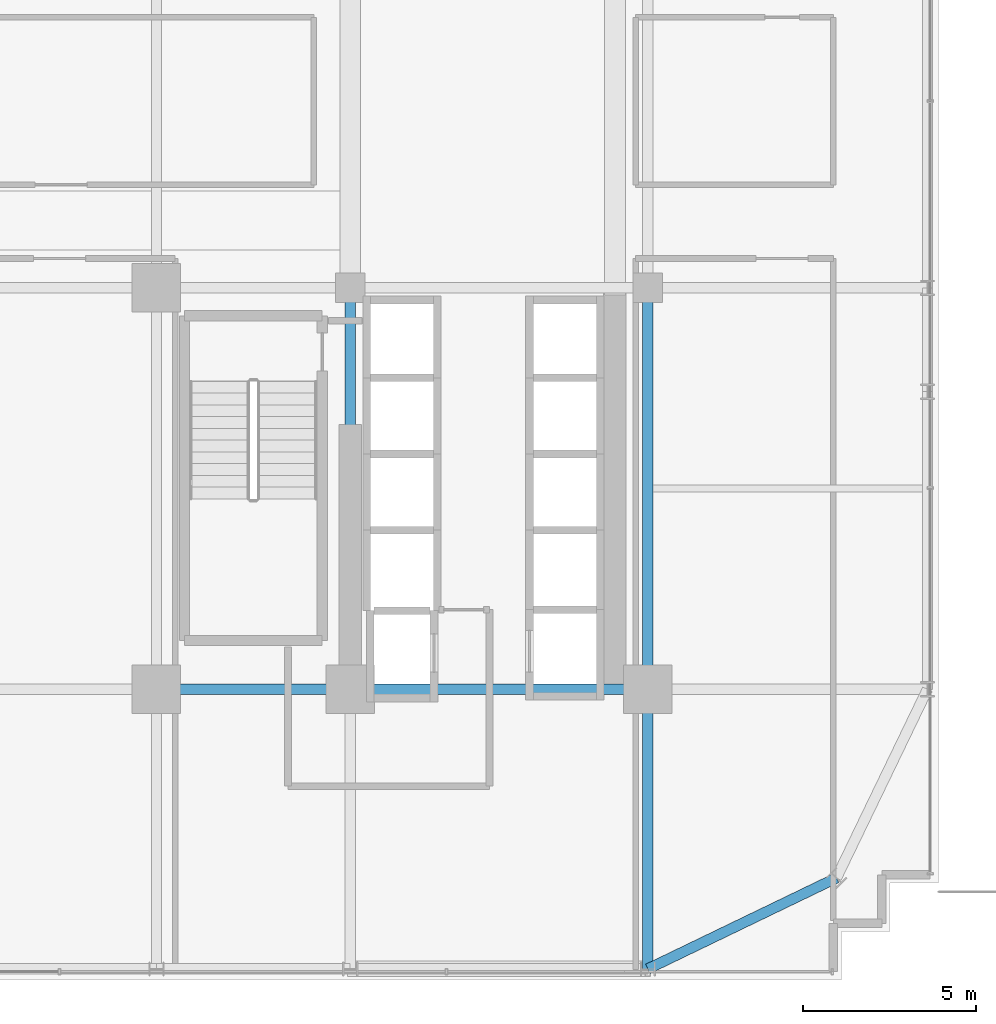
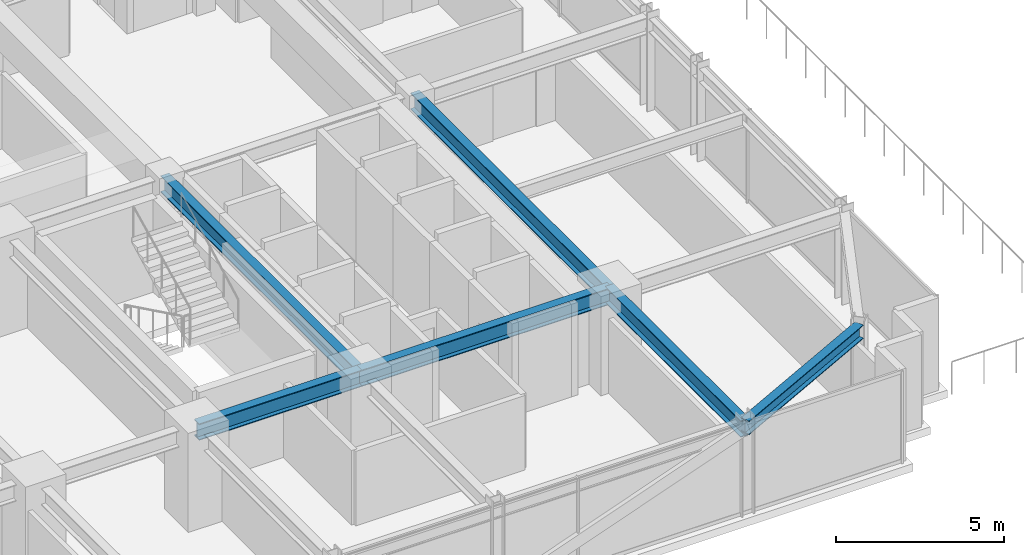
# One storey, part 13 of 39: 6 beams.
"""IFC4 building model written with IfcOpenShell, lengths in metres."""

from ifc_helpers import new_model, si_unit, direction, frame, origin, origin_2d, place, context, subcontext, project, spatial, i_section, extrude, source, transform, mapped, material, material_profile, profile_set, type_object, element, save


model = new_model("IFC4")

# Units and contexts
model_context = context("Model", 3, precision=1e-05, world=origin(), true_north=direction((0.0, 1.0)))
body_context = subcontext(model_context, "Body", "Model", "MODEL_VIEW")
ifc_project = project(units=[si_unit("LENGTHUNIT", "METRE"), si_unit("AREAUNIT", "SQUARE_METRE"), si_unit("VOLUMEUNIT", "CUBIC_METRE"), si_unit("PLANEANGLEUNIT", "RADIAN"), si_unit("MASSUNIT", "GRAM", prefix="KILO")], contexts=[model_context])

# Site, building, storey
site_placement = place(None, origin())
site = spatial("IfcSite", under=ifc_project, at=site_placement, CompositionType="ELEMENT")
building_placement = place(site_placement, origin())
building = spatial("IfcBuilding", under=site, at=building_placement, Name="Nahalor Promenade Grand Hotel", CompositionType="ELEMENT")
storey_placement = place(building_placement, frame((0.0, 0.0, 32.39990234375)))
storey = spatial("IfcBuildingStorey", under=building, at=storey_placement, Name="L06", CompositionType="ELEMENT", Elevation=32.39990234375)

# Beams
ifc_material = material(Name="Steel S355JR", Category="steel")
ifc_material_profile_1 = material_profile(ifc_material, i_section(OverallWidth=0.3, OverallDepth=0.6, WebThickness=0.0155, FlangeThickness=0.03, at=origin_2d()), Name="HEB 600")
ifc_profile_set_1 = profile_set([ifc_material_profile_1], Name="Steel S355JR")
beam_type_1 = type_object("IfcBeamType", Name="Beam-Girder-HEB600", PredefinedType="BEAM", material=ifc_profile_set_1)
shared_shape_1 = source(origin(), body_context, "Body", "SweptSolid", [
    extrude(i_section(OverallWidth=0.3, OverallDepth=0.6, WebThickness=0.0155, FlangeThickness=0.03, at=origin_2d()), origin(), (0.0, 0.0, 1.0), 8.60009765625),
])
beam_1_placement = place(storey_placement, frame((8.39990234375, -17.0, 3.070068359375), z_axis=(1.0, 0.0, 0.0), x_axis=(0.0, 1.0, 0.0)))
element("IfcBeam", 1, at=beam_1_placement, inside=storey, type_object=beam_type_1, Name="BM-L06-GX-0-5", PredefinedType="BEAM", context=body_context, shape_type="MappedRepresentation", body=[
    mapped(shared_shape_1, transform((0.0, 0.0, 0.0), scale=1.0)),
])
shared_shape_2 = source(origin(), body_context, "Body", "SweptSolid", [
    extrude(i_section(OverallWidth=0.3, OverallDepth=0.6, WebThickness=0.0155, FlangeThickness=0.03, at=origin_2d()), origin(), (0.0, 0.0, 1.0), 5.599853515625),
])
beam_2_placement = place(storey_placement, frame((2.800048828125, -17.0, 3.070068359375), z_axis=(1.0, 0.0, 0.0), x_axis=(0.0, 1.0, 0.0)))
element("IfcBeam", 2, at=beam_2_placement, inside=storey, type_object=beam_type_1, Name="BM-L06-GX-0-4", PredefinedType="BEAM", context=body_context, shape_type="MappedRepresentation", body=[
    mapped(shared_shape_2, transform((0.0, 0.0, 0.0), scale=1.0)),
])
shared_shape_3 = source(origin(), body_context, "Body", "SweptSolid", [
    extrude(i_section(OverallWidth=0.3, OverallDepth=0.6, WebThickness=0.0155, FlangeThickness=0.03, at=origin_2d()), origin(), (0.0, 0.0, 1.0), 11.60009765625),
])
for number, where, z_axis, x_axis, name in (
    (3, (8.39990234375, -17.0, 3.070068359375), (0.0, 1.0, 0.0), (-1.0, 0.0, 0.0), "BM-L06-GY-4-1"),
    (4, (17.0, -17.0, 3.070068359375), (0.0, 1.0, 0.0), (-1.0, 0.0, 0.0), "BM-L06-GY-5-1"),
):
    element("IfcBeam", number, at=place(storey_placement, frame(where, z_axis=z_axis, x_axis=x_axis)), inside=storey, type_object=beam_type_1, Name=name, PredefinedType="BEAM", context=body_context, shape_type="MappedRepresentation", body=[
        mapped(shared_shape_3, transform((0.0, 0.0, 0.0), scale=1.0)),
    ])
shared_shape_4 = source(origin(), body_context, "Body", "SweptSolid", [
    extrude(i_section(OverallWidth=0.3, OverallDepth=0.6, WebThickness=0.0155, FlangeThickness=0.03, at=origin_2d()), origin(), (0.0, 0.0, 1.0), 8.080078125),
])
beam_3_placement = place(storey_placement, frame((17.0, -25.080078125, 3.070068359375), z_axis=(0.0, 1.0, 0.0), x_axis=(-1.0, 0.0, 0.0)))
element("IfcBeam", 5, at=beam_3_placement, inside=storey, type_object=beam_type_1, Name="BM-L06-GY-5-0", PredefinedType="BEAM", context=body_context, shape_type="MappedRepresentation", body=[
    mapped(shared_shape_4, transform((0.0, 0.0, 0.0), scale=1.0)),
])
ifc_material_profile_2 = material_profile(ifc_material, i_section(OverallWidth=0.3, OverallDepth=0.5, WebThickness=0.0145, FlangeThickness=0.028, at=origin_2d()), Name="HEB 500")
ifc_profile_set_2 = profile_set([ifc_material_profile_2], Name="Steel S355JR")
beam_type_2 = type_object("IfcBeamType", Name="Beam-Spandrel-HEB500", PredefinedType="SPANDREL", material=ifc_profile_set_2)
shared_shape_5 = source(origin(), body_context, "Body", "SweptSolid", [
    extrude(i_section(OverallWidth=0.3, OverallDepth=0.5, WebThickness=0.0145, FlangeThickness=0.028, at=origin_2d()), origin(), (0.0, 0.0, 1.0), 6.051513671875),
])
beam_4_placement = place(storey_placement, frame((17.0, -25.080078125, 3.1201171875), z_axis=(0.900608818852, 0.434630596492, 0.0), x_axis=(-0.434630596492, 0.900608818852, 0.0)))
element("IfcBeam", 6, at=beam_4_placement, inside=storey, type_object=beam_type_2, Name="BM-L06-SPC-SE-1", PredefinedType="SPANDREL", context=body_context, shape_type="MappedRepresentation", body=[
    mapped(shared_shape_5, transform((0.0, 0.0, 0.0), scale=1.0)),
])

save(model, "model.ifc")
